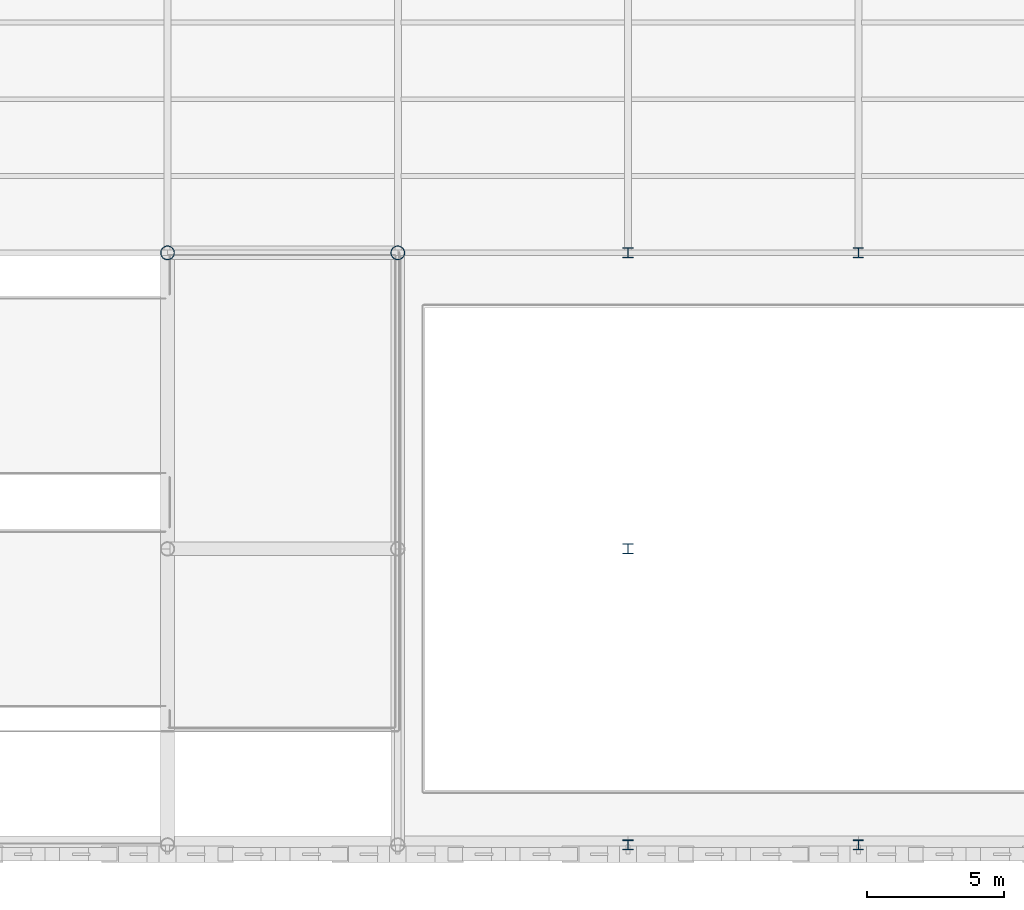
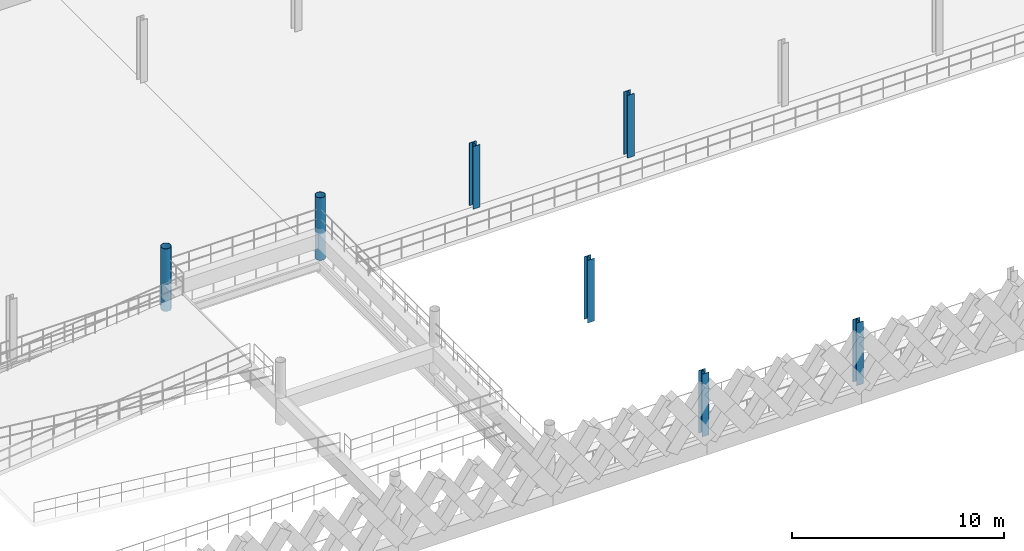
# One storey, part 2 of 62: 7 columns.
"""IFC4 building model written with IfcOpenShell, lengths in metres."""

from ifc_helpers import new_model, si_unit, direction, frame, origin, origin_2d, place, context, subcontext, project, spatial, hollow_circle, i_section, extrude, material, material_profile, profile_set, type_object, element, save


model = new_model("IFC4")

# Units and contexts
model_context = context("Model", 3, precision=1e-05, world=origin(), true_north=direction((0.0, 1.0)))
body_context = subcontext(model_context, "Body", "Model", "MODEL_VIEW")
ifc_project = project(units=[si_unit("LENGTHUNIT", "METRE"), si_unit("AREAUNIT", "SQUARE_METRE"), si_unit("VOLUMEUNIT", "CUBIC_METRE"), si_unit("PLANEANGLEUNIT", "RADIAN"), si_unit("MASSUNIT", "GRAM", prefix="KILO"), si_unit("THERMODYNAMICTEMPERATUREUNIT", "KELVIN"), si_unit("POWERUNIT", "WATT")], contexts=[model_context])

# Site, building, storey
site_placement = place(None, origin())
site = spatial("IfcSite", under=ifc_project, at=site_placement, CompositionType="ELEMENT")
building_placement = place(site_placement, origin())
building = spatial("IfcBuilding", under=site, at=building_placement, Name="Tembeka Court Mobility Hub", CompositionType="ELEMENT")
storey_placement = place(building_placement, frame((0.0, 0.0, 16.199951171875)))
storey = spatial("IfcBuildingStorey", under=building, at=storey_placement, Name="L04", CompositionType="ELEMENT", Elevation=16.199951171875)

# Columns
ifc_material = material(Name="Steel S355", Category="steel")
ifc_material_profile_1 = material_profile(ifc_material, i_section(OverallWidth=0.373046875, OverallDepth=0.367919921875, WebThickness=0.014404296875, FlangeThickness=0.023681640625, FilletRadius=0.01513671875, at=origin_2d()), Name="UKC 356x368x177")
ifc_profile_set_1 = profile_set([ifc_material_profile_1], Name="Steel S355")
column_type_1 = type_object("IfcColumnType", Name="COL-C03", PredefinedType="COLUMN", material=ifc_profile_set_1)
for number, where, z_axis, x_axis, name in (
    (1, (50.39990234375, 0.0, 0.0), (0.0, 0.0, 1.0), (1.0, 0.0, 0.0), "Column C03 (L04-071)"),
    (2, (50.39990234375, 10.800048828125, 0.0), (0.0, 0.0, 1.0), (1.0, 0.0, 0.0), "Column C03 (L04-072)"),
    (3, (50.39990234375, 21.60009765625, 0.0), (0.0, 0.0, 1.0), (1.0, 0.0, 0.0), "Column C03 (L04-073)"),
    (4, (58.800048828125, 0.0, 0.0), (0.0, 0.0, 1.0), (1.0, 0.0, 0.0), "Column C03 (L04-083)"),
    (5, (58.800048828125, 21.60009765625, 0.0), (0.0, 0.0, 1.0), (1.0, 0.0, 0.0), "Column C03 (L04-084)"),
):
    element("IfcColumn", number, at=place(storey_placement, frame(where, z_axis=z_axis, x_axis=x_axis)), inside=storey, type_object=column_type_1, Name=name, PredefinedType="COLUMN", context=body_context, shape_type="SweptSolid", body=[
        extrude(i_section(OverallWidth=0.373046875, OverallDepth=0.367919921875, WebThickness=0.014404296875, FlangeThickness=0.023681640625, FilletRadius=0.01513671875, at=origin_2d()), origin(), (0.0, 0.0, 1.0), 3.60009765625),
    ])
ifc_material_profile_2 = material_profile(ifc_material, hollow_circle(Radius=0.25390625, WallThickness=0.01611328125, at=origin_2d()), Name="CHS 508x16")
ifc_profile_set_2 = profile_set([ifc_material_profile_2], Name="Steel S355")
column_type_2 = type_object("IfcColumnType", Name="COL-C08", PredefinedType="COLUMN", material=ifc_profile_set_2)
for number, where, z_axis, x_axis, name in (
    (6, (33.60009765625, 21.60009765625, 0.0), (0.0, 0.0, 1.0), (1.0, 0.0, 0.0), "Column C08 (L04-049)"),
    (7, (42.0, 21.60009765625, 0.0), (0.0, 0.0, 1.0), (1.0, 0.0, 0.0), "Column C08 (L04-061)"),
):
    element("IfcColumn", number, at=place(storey_placement, frame(where, z_axis=z_axis, x_axis=x_axis)), inside=storey, type_object=column_type_2, Name=name, PredefinedType="COLUMN", context=body_context, shape_type="SweptSolid", body=[
        extrude(hollow_circle(Radius=0.25390625, WallThickness=0.01611328125, at=origin_2d()), origin(), (0.0, 0.0, 1.0), 3.60009765625),
    ])

save(model, "model.ifc")
